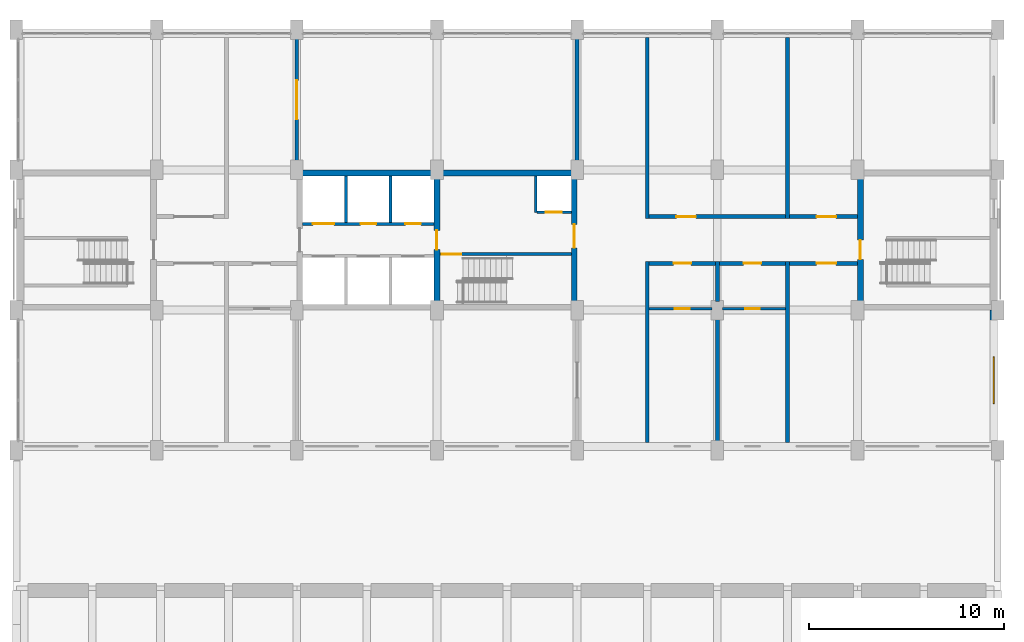
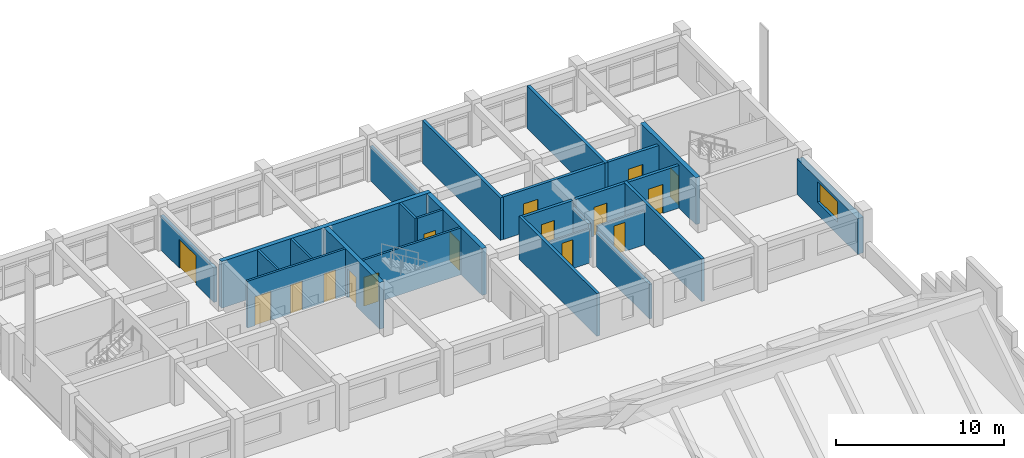
# One storey, part 27 of 31: 26 walls, 16 doors, 1 window, 17 openings.
"""IFC4 building model written with IfcOpenShell, lengths in metres."""

from ifc_helpers import new_model, si_unit, direction, frame, frame_2d, origin, place, context, subcontext, project, spatial, rectangle, extrude, material, layer, layer_set, type_object, element, fill, save


model = new_model("IFC4")

# Units and contexts
model_context = context("Model", 3, precision=1e-05, world=origin(), true_north=direction((0.0, 1.0)))
body_context = subcontext(model_context, "Body", "Model", "MODEL_VIEW")
ifc_project = project(units=[si_unit("LENGTHUNIT", "METRE"), si_unit("AREAUNIT", "SQUARE_METRE"), si_unit("VOLUMEUNIT", "CUBIC_METRE"), si_unit("PLANEANGLEUNIT", "RADIAN"), si_unit("MASSUNIT", "GRAM", prefix="KILO")], contexts=[model_context])

# Site, building, storey
site_placement = place(None, origin())
site = spatial("IfcSite", under=ifc_project, at=site_placement, CompositionType="ELEMENT")
building_placement = place(site_placement, origin())
building = spatial("IfcBuilding", under=site, at=building_placement, Name="Vermilion Court Aquatics Centre", CompositionType="ELEMENT")
storey_placement = place(building_placement, frame((0.0, 0.0, 16.5)))
storey = spatial("IfcBuildingStorey", under=building, at=storey_placement, Name="L03", CompositionType="ELEMENT", Elevation=16.5)

# Wall, opening, window
ifc_material_1 = material(Name="Brick masonry", Category="masonry")
ifc_layer_1 = layer(ifc_material_1, 0.39990234375)
ifc_layer_set_1 = layer_set([ifc_layer_1], Name="North block brick facade wall 400")
wall_type_1 = type_object("IfcWallType", Name="North block brick facade wall 400", PredefinedType="SOLIDWALL", material=ifc_layer_set_1)
wall_1_placement = place(storey_placement, frame((194.199951171875, 93.60009765625, 0.0), z_axis=(0.0, 0.0, 1.0), x_axis=(0.0, 1.0, 0.0)))
wall_1 = element("IfcWall", 1, at=wall_1_placement, inside=storey, type_object=wall_type_1, Name="Brick facade wall E1 L03", PredefinedType="SOLIDWALL", context=body_context, shape_type="SweptSolid", body=[
    extrude(rectangle(XDim=7.199951171875, YDim=0.39990234375, at=frame_2d((3.60009765625, 0.0))), origin(), (0.0, 0.0, 1.0), 2.60009765625),
])
opening_1_placement = place(wall_1_placement, frame((2.39990234375, 0.0, 0.89990234375)))
opening_1 = element("IfcOpeningElement", 2, at=opening_1_placement, cuts=wall_1, Name="Opening UWN3", PredefinedType="OPENING", context=body_context, shape_type="SweptSolid", body=[
    extrude(rectangle(XDim=2.39990234375, YDim=1.5, at=frame_2d((1.199951171875, 0.75))), frame((0.0, 0.2099609375, 0.0), z_axis=(0.0, -1.0, 0.0), x_axis=(1.0, 0.0, 0.0)), (0.0, 0.0, 1.0), 0.419921875),
])
ifc_material_2 = material(Name="Aluminium 6063-T5", Category="aluminium")
window_type = type_object("IfcWindowType", Name="North block corner window 2400x1500", PartitioningType="DOUBLE_PANEL_VERTICAL", PredefinedType="WINDOW", material=ifc_material_2)
window_placement = place(opening_1_placement, origin())
window = element("IfcWindow", 3, at=window_placement, inside=storey, type_object=window_type, Name="End window SE", OverallHeight=1.5, OverallWidth=2.39990234375, PartitioningType="DOUBLE_PANEL_VERTICAL", PredefinedType="WINDOW", context=body_context, shape_type="SweptSolid", body=[
    extrude(rectangle(XDim=2.39990234375, YDim=1.5, at=frame_2d((1.199951171875, 0.75))), frame((0.0, 0.030029296875, 0.0), z_axis=(0.0, -1.0, 0.0), x_axis=(1.0, 0.0, 0.0)), (0.0, 0.0, 1.0), 0.06005859375),
])
fill(opening_1, window)

# Wall
ifc_material_3 = material(Name="Concrete 8000 psi", Category="concrete")
ifc_layer_2 = layer(ifc_material_3, 0.300048828125)
ifc_layer_set_2 = layer_set([ifc_layer_2], Name="North block core shear wall 300")
wall_type_2 = type_object("IfcWallType", Name="North block core shear wall 300", PredefinedType="SHEAR", material=ifc_layer_set_2)
wall_2_placement = place(storey_placement, frame((158.39990234375, 107.85009765625, 0.0), z_axis=(0.0, 0.0, 1.0), x_axis=(1.0, 0.0, 0.0)))
element("IfcWall", 4, at=wall_2_placement, inside=storey, type_object=wall_type_2, Name="Core shear wall north L03", PredefinedType="SHEAR", context=body_context, shape_type="SweptSolid", body=[
    extrude(rectangle(XDim=14.400146484375, YDim=0.300048828125, at=frame_2d((7.2001953125, 0.0))), origin(), (0.0, 0.0, 1.0), 3.39990234375),
])

# Wall, opening, door
wall_3_placement = place(storey_placement, frame((165.60009765625, 101.10009765625, 0.0), z_axis=(0.0, 0.0, 1.0), x_axis=(0.0, 1.0, 0.0)))
wall_3 = element("IfcWall", 5, at=wall_3_placement, inside=storey, type_object=wall_type_2, Name="Core shear wall cross L03", PredefinedType="SHEAR", context=body_context, shape_type="SweptSolid", body=[
    extrude(rectangle(XDim=6.599853515625, YDim=0.300048828125, at=frame_2d((3.2998046875, 0.0))), origin(), (0.0, 0.0, 1.0), 3.39990234375),
])
opening_2_placement = place(wall_3_placement, frame((2.800048828125, 0.0, 0.0)))
opening_2 = element("IfcOpeningElement", 6, at=opening_2_placement, cuts=wall_3, Name="Opening U03-017", PredefinedType="OPENING", context=body_context, shape_type="SweptSolid", body=[
    extrude(rectangle(XDim=1.0, YDim=2.10009765625, at=frame_2d((0.5, 1.050048828125))), frame((0.0, 0.159912109375, 0.0), z_axis=(0.0, -1.0, 0.0), x_axis=(1.0, 0.0, 0.0)), (0.0, 0.0, 1.0), 0.320068359375),
])
ifc_material_4 = material(Name="Hollow metal")
door_type_1 = type_object("IfcDoorType", Name="North block fire door FD90 1000x2100", OperationType="NOTDEFINED", PredefinedType="DOOR", material=ifc_material_4)
door_1_placement = place(opening_2_placement, frame((1.0, 0.0, 0.0), z_axis=(0.0, 0.0, 1.0), x_axis=(-1.0, 0.0, 0.0)))
door_1 = element("IfcDoor", 7, at=door_1_placement, inside=storey, type_object=door_type_1, Name="Core cross door L03", OperationType="SINGLE_SWING_RIGHT", OverallHeight=2.10009765625, OverallWidth=1.0, PredefinedType="DOOR", context=body_context, shape_type="SweptSolid", body=[
    extrude(rectangle(XDim=1.0, YDim=2.10009765625, at=frame_2d((0.5, 1.050048828125))), frame((0.0, 0.025146484375, 0.0), z_axis=(0.0, -1.0, 0.0), x_axis=(1.0, 0.0, 0.0)), (0.0, 0.0, 1.0), 0.050048828125),
])
fill(opening_2, door_1)

wall_4_placement = place(storey_placement, frame((172.64990234375, 101.10009765625, 0.0), z_axis=(0.0, 0.0, 1.0), x_axis=(0.0, 1.0, 0.0)))
wall_4 = element("IfcWall", 8, at=wall_4_placement, inside=storey, type_object=wall_type_2, Name="Core shear wall east L03", PredefinedType="SHEAR", context=body_context, shape_type="SweptSolid", body=[
    extrude(rectangle(XDim=6.599853515625, YDim=0.300048828125, at=frame_2d((3.2998046875, 0.0))), origin(), (0.0, 0.0, 1.0), 3.39990234375),
])
opening_3_placement = place(wall_4_placement, frame((2.89990234375, 0.0, 0.0)))
opening_3 = element("IfcOpeningElement", 9, at=opening_3_placement, cuts=wall_4, Name="Opening U03-018", PredefinedType="OPENING", context=body_context, shape_type="SweptSolid", body=[
    extrude(rectangle(XDim=1.199951171875, YDim=2.10009765625, at=frame_2d((0.60009765625, 1.050048828125))), frame((0.0, 0.159912109375, 0.0), z_axis=(0.0, -1.0, 0.0), x_axis=(1.0, 0.0, 0.0)), (0.0, 0.0, 1.0), 0.320068359375),
])
ifc_material_5 = material(Name="Hollow metal")
door_type_2 = type_object("IfcDoorType", Name="North block fire door FD90 1200x2100", OperationType="NOTDEFINED", PredefinedType="DOOR", material=ifc_material_5)
door_2_placement = place(opening_3_placement, origin())
door_2 = element("IfcDoor", 10, at=door_2_placement, inside=storey, type_object=door_type_2, Name="Core lobby door east L03", OperationType="SINGLE_SWING_LEFT", OverallHeight=2.10009765625, OverallWidth=1.199951171875, PredefinedType="DOOR", context=body_context, shape_type="SweptSolid", body=[
    extrude(rectangle(XDim=1.199951171875, YDim=2.10009765625, at=frame_2d((0.60009765625, 1.050048828125))), frame((0.0, 0.02490234375, 0.0), z_axis=(0.0, -1.0, 0.0), x_axis=(1.0, 0.0, 0.0)), (0.0, 0.0, 1.0), 0.050048828125),
])
fill(opening_3, door_2)

wall_5_placement = place(storey_placement, frame((187.35009765625, 101.10009765625, 0.0), z_axis=(0.0, 0.0, 1.0), x_axis=(0.0, 1.0, 0.0)))
wall_5 = element("IfcWall", 11, at=wall_5_placement, inside=storey, type_object=wall_type_2, Name="Stair 2 shear wall inner L03", PredefinedType="SHEAR", context=body_context, shape_type="SweptSolid", body=[
    extrude(rectangle(XDim=6.599853515625, YDim=0.300048828125, at=frame_2d((3.2998046875, 0.0))), origin(), (0.0, 0.0, 1.0), 3.39990234375),
])
opening_4_placement = place(wall_5_placement, frame((2.300048828125, 0.0, 0.0)))
opening_4 = element("IfcOpeningElement", 12, at=opening_4_placement, cuts=wall_5, Name="Opening U03-022", PredefinedType="OPENING", context=body_context, shape_type="SweptSolid", body=[
    extrude(rectangle(XDim=1.0, YDim=2.10009765625, at=frame_2d((0.5, 1.050048828125))), frame((0.0, 0.159912109375, 0.0), z_axis=(0.0, -1.0, 0.0), x_axis=(1.0, 0.0, 0.0)), (0.0, 0.0, 1.0), 0.320068359375),
])
door_3_placement = place(opening_4_placement, frame((1.0, 0.0, 0.0), z_axis=(0.0, 0.0, 1.0), x_axis=(-1.0, 0.0, 0.0)))
door_3 = element("IfcDoor", 13, at=door_3_placement, inside=storey, type_object=door_type_1, Name="Stair 2 door L03", OperationType="SINGLE_SWING_RIGHT", OverallHeight=2.10009765625, OverallWidth=1.0, PredefinedType="DOOR", context=body_context, shape_type="SweptSolid", body=[
    extrude(rectangle(XDim=1.0, YDim=2.10009765625, at=frame_2d((0.5, 1.050048828125))), frame((0.0, 0.025146484375, 0.0), z_axis=(0.0, -1.0, 0.0), x_axis=(1.0, 0.0, 0.0)), (0.0, 0.0, 1.0), 0.050048828125),
])
fill(opening_4, door_3)

# Walls
ifc_material_6 = material(Name="Concrete 5000 psi", Category="concrete")
ifc_layer_3 = layer(ifc_material_6, 0.14990234375)
ifc_layer_set_3 = layer_set([ifc_layer_3], Name="North block lift shaft partition 150")
wall_type_3 = type_object("IfcWallType", Name="North block lift shaft partition 150", PredefinedType="PARTITIONING", material=ifc_layer_set_3)
for number, where, z_axis, x_axis, name in (
    (14, (160.925048828125, 105.300048828125, 0.0), (0.0, 0.0, 1.0), (0.0, 1.0, 0.0), "Lift shaft wall N1 L03"),
    (15, (163.22509765625, 105.300048828125, 0.0), (0.0, 0.0, 1.0), (0.0, 1.0, 0.0), "Lift shaft wall N2 L03"),
):
    element("IfcWall", number, at=place(storey_placement, frame(where, z_axis=z_axis, x_axis=x_axis)), inside=storey, type_object=wall_type_3, Name=name, PredefinedType="PARTITIONING", context=body_context, shape_type="SweptSolid", body=[
        extrude(rectangle(XDim=2.39990234375, YDim=0.14990234375, at=frame_2d((1.199951171875, 0.0))), origin(), (0.0, 0.0, 1.0), 3.39990234375),
    ])

# Wall, openings, doors
wall_6_placement = place(storey_placement, frame((158.699951171875, 105.22509765625, 0.0), z_axis=(0.0, 0.0, 1.0), x_axis=(1.0, 0.0, 0.0)))
wall_6 = element("IfcWall", 16, at=wall_6_placement, inside=storey, type_object=wall_type_3, Name="Lift shaft front wall N L03", PredefinedType="PARTITIONING", context=body_context, shape_type="SweptSolid", body=[
    extrude(rectangle(XDim=6.75, YDim=0.14990234375, at=frame_2d((3.375, 0.0))), origin(), (0.0, 0.0, 1.0), 3.39990234375),
])
opening_5_placement = place(wall_6_placement, frame((0.52490234375, 0.0, 0.0)))
opening_5 = element("IfcOpeningElement", 17, at=opening_5_placement, cuts=wall_6, Name="Opening LD4-03", PredefinedType="OPENING", context=body_context, shape_type="SweptSolid", body=[
    extrude(rectangle(XDim=1.10009765625, YDim=2.10009765625, at=frame_2d((0.550048828125, 1.050048828125))), frame((0.0, 0.0849609375, 0.0), z_axis=(0.0, -1.0, 0.0), x_axis=(1.0, 0.0, 0.0)), (0.0, 0.0, 1.0), 0.169921875),
])
opening_6_placement = place(wall_6_placement, frame((2.97509765625, 0.0, 0.0)))
opening_6 = element("IfcOpeningElement", 18, at=opening_6_placement, cuts=wall_6, Name="Opening U03-014", PredefinedType="OPENING", context=body_context, shape_type="SweptSolid", body=[
    extrude(rectangle(XDim=0.800048828125, YDim=2.10009765625, at=frame_2d((0.39990234375, 1.050048828125))), frame((0.0, 0.0849609375, 0.0), z_axis=(0.0, -1.0, 0.0), x_axis=(1.0, 0.0, 0.0)), (0.0, 0.0, 1.0), 0.169921875),
])
opening_7_placement = place(wall_6_placement, frame((5.27490234375, 0.0, 0.0)))
opening_7 = element("IfcOpeningElement", 19, at=opening_7_placement, cuts=wall_6, Name="Opening U03-015", PredefinedType="OPENING", context=body_context, shape_type="SweptSolid", body=[
    extrude(rectangle(XDim=0.800048828125, YDim=2.10009765625, at=frame_2d((0.39990234375, 1.050048828125))), frame((0.0, 0.0849609375, 0.0), z_axis=(0.0, -1.0, 0.0), x_axis=(1.0, 0.0, 0.0)), (0.0, 0.0, 1.0), 0.169921875),
])
ifc_material_7 = material(Name="Hollow metal")
door_type_3 = type_object("IfcDoorType", Name="North block lift landing door 1100x2100", OperationType="DOUBLE_DOOR_SLIDING", PredefinedType="DOOR", material=ifc_material_7)
door_4_placement = place(opening_5_placement, origin())
door_4 = element("IfcDoor", 20, at=door_4_placement, inside=storey, type_object=door_type_3, Name="Lift landing door L4 L03", OperationType="DOUBLE_DOOR_SLIDING", OverallHeight=2.10009765625, OverallWidth=1.10009765625, PredefinedType="DOOR", context=body_context, shape_type="SweptSolid", body=[
    extrude(rectangle(XDim=1.10009765625, YDim=2.10009765625, at=frame_2d((0.550048828125, 1.050048828125))), frame((0.0, 0.02490234375, 0.0), z_axis=(0.0, -1.0, 0.0), x_axis=(1.0, 0.0, 0.0)), (0.0, 0.0, 1.0), 0.050048828125),
])
fill(opening_5, door_4)
ifc_material_8 = material(Name="Hollow metal")
door_type_4 = type_object("IfcDoorType", Name="North block riser door FD90 800x2100", OperationType="NOTDEFINED", PredefinedType="DOOR", material=ifc_material_8)
door_5_placement = place(opening_6_placement, frame((0.800048828125, 0.0, 0.0), z_axis=(0.0, 0.0, 1.0), x_axis=(-1.0, 0.0, 0.0)))
door_5 = element("IfcDoor", 21, at=door_5_placement, inside=storey, type_object=door_type_4, Name="Electrical Riser door L03", OperationType="SINGLE_SWING_RIGHT", OverallHeight=2.10009765625, OverallWidth=0.800048828125, PredefinedType="DOOR", context=body_context, shape_type="SweptSolid", body=[
    extrude(rectangle(XDim=0.800048828125, YDim=2.10009765625, at=frame_2d((0.400146484375, 1.050048828125))), frame((0.0, 0.025146484375, 0.0), z_axis=(0.0, -1.0, 0.0), x_axis=(1.0, 0.0, 0.0)), (0.0, 0.0, 1.0), 0.050048828125),
])
fill(opening_6, door_5)
door_6_placement = place(opening_7_placement, frame((0.800048828125, 0.0, 0.0), z_axis=(0.0, 0.0, 1.0), x_axis=(-1.0, 0.0, 0.0)))
door_6 = element("IfcDoor", 22, at=door_6_placement, inside=storey, type_object=door_type_4, Name="Plumbing Riser door L03", OperationType="SINGLE_SWING_LEFT", OverallHeight=2.10009765625, OverallWidth=0.800048828125, PredefinedType="DOOR", context=body_context, shape_type="SweptSolid", body=[
    extrude(rectangle(XDim=0.800048828125, YDim=2.10009765625, at=frame_2d((0.400146484375, 1.050048828125))), frame((0.0, 0.025146484375, 0.0), z_axis=(0.0, -1.0, 0.0), x_axis=(1.0, 0.0, 0.0)), (0.0, 0.0, 1.0), 0.050048828125),
])
fill(opening_7, door_6)

# Wall
wall_7_placement = place(storey_placement, frame((170.675048828125, 105.824951171875, 0.0), z_axis=(0.0, 0.0, 1.0), x_axis=(0.0, 1.0, 0.0)))
element("IfcWall", 23, at=wall_7_placement, inside=storey, type_object=wall_type_3, Name="Riser shaft wall west L03", PredefinedType="PARTITIONING", context=body_context, shape_type="SweptSolid", body=[
    extrude(rectangle(XDim=1.875, YDim=0.14990234375, at=frame_2d((0.9375, 0.0))), origin(), (0.0, 0.0, 1.0), 3.39990234375),
])

# Wall, opening, door
wall_8_placement = place(storey_placement, frame((170.75, 105.824951171875, 0.0), z_axis=(0.0, 0.0, 1.0), x_axis=(1.0, 0.0, 0.0)))
wall_8 = element("IfcWall", 24, at=wall_8_placement, inside=storey, type_object=wall_type_3, Name="Riser shaft wall south L03", PredefinedType="PARTITIONING", context=body_context, shape_type="SweptSolid", body=[
    extrude(rectangle(XDim=1.75, YDim=0.14990234375, at=frame_2d((0.875, 0.0))), origin(), (0.0, 0.0, 1.0), 3.39990234375),
])
opening_8_placement = place(wall_8_placement, frame((0.449951171875, 0.0, 0.0)))
opening_8 = element("IfcOpeningElement", 25, at=opening_8_placement, cuts=wall_8, Name="Opening U03-020", PredefinedType="OPENING", context=body_context, shape_type="SweptSolid", body=[
    extrude(rectangle(XDim=0.800048828125, YDim=2.10009765625, at=frame_2d((0.39990234375, 1.050048828125))), frame((0.0, 0.0849609375, 0.0), z_axis=(0.0, -1.0, 0.0), x_axis=(1.0, 0.0, 0.0)), (0.0, 0.0, 1.0), 0.169921875),
])
door_7_placement = place(opening_8_placement, origin())
door_7 = element("IfcDoor", 26, at=door_7_placement, inside=storey, type_object=door_type_4, Name="Riser door L03", OperationType="SINGLE_SWING_LEFT", OverallHeight=2.10009765625, OverallWidth=0.800048828125, PredefinedType="DOOR", context=body_context, shape_type="SweptSolid", body=[
    extrude(rectangle(XDim=0.800048828125, YDim=2.10009765625, at=frame_2d((0.39990234375, 1.050048828125))), frame((0.0, 0.02490234375, 0.0), z_axis=(0.0, -1.0, 0.0), x_axis=(1.0, 0.0, 0.0)), (0.0, 0.0, 1.0), 0.050048828125),
])
fill(opening_8, door_7)

# Wall
ifc_material_9 = material(Name="Concrete masonry ASTM C90 Type I", Category="masonry")
ifc_layer_4 = layer(ifc_material_9, 0.199951171875)
ifc_layer_set_4 = layer_set([ifc_layer_4], Name="North block party wall 200")
wall_type_4 = type_object("IfcWallType", Name="North block party wall 200", PredefinedType="PARTITIONING", material=ifc_layer_set_4)
wall_9_placement = place(storey_placement, frame((176.39990234375, 94.0, 0.0), z_axis=(0.0, 0.0, 1.0), x_axis=(0.0, 1.0, 0.0)))
element("IfcWall", 27, at=wall_9_placement, inside=storey, type_object=wall_type_4, Name="Party wall s 9", PredefinedType="PARTITIONING", context=body_context, shape_type="SweptSolid", body=[
    extrude(rectangle(XDim=9.300048828125, YDim=0.199951171875, at=frame_2d((4.64990234375, 0.0))), origin(), (0.0, 0.0, 1.0), 3.10009765625),
])

# Wall, opening, door
wall_10_placement = place(storey_placement, frame((176.5, 103.199951171875, 0.0), z_axis=(0.0, 0.0, 1.0), x_axis=(1.0, 0.0, 0.0)))
wall_10 = element("IfcWall", 28, at=wall_10_placement, inside=storey, type_object=wall_type_4, Name="Corridor wall 0305", PredefinedType="PARTITIONING", context=body_context, shape_type="SweptSolid", body=[
    extrude(rectangle(XDim=3.39990234375, YDim=0.199951171875, at=frame_2d((1.699951171875, 0.0))), origin(), (0.0, 0.0, 1.0), 3.10009765625),
])
opening_9_placement = place(wall_10_placement, frame((1.25, 0.0, 0.0)))
opening_9 = element("IfcOpeningElement", 29, at=opening_9_placement, cuts=wall_10, Name="Opening U03-006", PredefinedType="OPENING", context=body_context, shape_type="SweptSolid", body=[
    extrude(rectangle(XDim=0.89990234375, YDim=2.10009765625, at=frame_2d((0.449951171875, 1.050048828125))), frame((0.0, 0.10986328125, 0.0), z_axis=(0.0, -1.0, 0.0), x_axis=(1.0, 0.0, 0.0)), (0.0, 0.0, 1.0), 0.219970703125),
])
ifc_material_10 = material(Name="Timber door leaf", Category="wood")
door_type_5 = type_object("IfcDoorType", Name="North block room door FD20 900x2100", OperationType="NOTDEFINED", PredefinedType="DOOR", material=ifc_material_10)
door_8_placement = place(opening_9_placement, frame((0.89990234375, 0.0, 0.0), z_axis=(0.0, 0.0, 1.0), x_axis=(-1.0, 0.0, 0.0)))
door_8 = element("IfcDoor", 30, at=door_8_placement, inside=storey, type_object=door_type_5, Name="Women's WC door 0305", OperationType="SINGLE_SWING_RIGHT", OverallHeight=2.10009765625, OverallWidth=0.89990234375, PredefinedType="DOOR", context=body_context, shape_type="SweptSolid", body=[
    extrude(rectangle(XDim=0.89990234375, YDim=2.10009765625, at=frame_2d((0.449951171875, 1.050048828125))), frame((0.0, 0.025146484375, 0.0), z_axis=(0.0, -1.0, 0.0), x_axis=(1.0, 0.0, 0.0)), (0.0, 0.0, 1.0), 0.050048828125),
])
fill(opening_9, door_8)

# Walls
wall_11_placement = place(storey_placement, frame((180.0, 94.0, 0.0), z_axis=(0.0, 0.0, 1.0), x_axis=(0.0, 1.0, 0.0)))
element("IfcWall", 31, at=wall_11_placement, inside=storey, type_object=wall_type_4, Name="Party wall s 10", PredefinedType="PARTITIONING", context=body_context, shape_type="SweptSolid", body=[
    extrude(rectangle(XDim=6.35009765625, YDim=0.199951171875, at=frame_2d((3.175048828125, 0.0))), origin(), (0.0, 0.0, 1.0), 2.5),
])
wall_12_placement = place(storey_placement, frame((180.0, 101.25, 0.0), z_axis=(0.0, 0.0, 1.0), x_axis=(0.0, 1.0, 0.0)))
element("IfcWall", 32, at=wall_12_placement, inside=storey, type_object=wall_type_4, Name="Party wall s 10", PredefinedType="PARTITIONING", context=body_context, shape_type="SweptSolid", body=[
    extrude(rectangle(XDim=2.050048828125, YDim=0.199951171875, at=frame_2d((1.02490234375, 0.0))), origin(), (0.0, 0.0, 1.0), 2.5),
])

# Wall, opening, door
wall_13_placement = place(storey_placement, frame((180.10009765625, 103.199951171875, 0.0), z_axis=(0.0, 0.0, 1.0), x_axis=(1.0, 0.0, 0.0)))
wall_13 = element("IfcWall", 33, at=wall_13_placement, inside=storey, type_object=wall_type_4, Name="Corridor wall 0306", PredefinedType="PARTITIONING", context=body_context, shape_type="SweptSolid", body=[
    extrude(rectangle(XDim=3.39990234375, YDim=0.199951171875, at=frame_2d((1.699951171875, 0.0))), origin(), (0.0, 0.0, 1.0), 3.10009765625),
])
opening_10_placement = place(wall_13_placement, frame((1.25, 0.0, 0.0)))
opening_10 = element("IfcOpeningElement", 34, at=opening_10_placement, cuts=wall_13, Name="Opening U03-008", PredefinedType="OPENING", context=body_context, shape_type="SweptSolid", body=[
    extrude(rectangle(XDim=0.89990234375, YDim=2.10009765625, at=frame_2d((0.449951171875, 1.050048828125))), frame((0.0, 0.10986328125, 0.0), z_axis=(0.0, -1.0, 0.0), x_axis=(1.0, 0.0, 0.0)), (0.0, 0.0, 1.0), 0.219970703125),
])
door_9_placement = place(opening_10_placement, frame((0.89990234375, 0.0, 0.0), z_axis=(0.0, 0.0, 1.0), x_axis=(-1.0, 0.0, 0.0)))
door_9 = element("IfcDoor", 35, at=door_9_placement, inside=storey, type_object=door_type_5, Name="Men's WC door 0306", OperationType="SINGLE_SWING_LEFT", OverallHeight=2.10009765625, OverallWidth=0.89990234375, PredefinedType="DOOR", context=body_context, shape_type="SweptSolid", body=[
    extrude(rectangle(XDim=0.89990234375, YDim=2.10009765625, at=frame_2d((0.449951171875, 1.050048828125))), frame((0.0, 0.025146484375, 0.0), z_axis=(0.0, -1.0, 0.0), x_axis=(1.0, 0.0, 0.0)), (0.0, 0.0, 1.0), 0.050048828125),
])
fill(opening_10, door_9)

# Wall
wall_14_placement = place(storey_placement, frame((183.60009765625, 94.0, 0.0), z_axis=(0.0, 0.0, 1.0), x_axis=(0.0, 1.0, 0.0)))
element("IfcWall", 36, at=wall_14_placement, inside=storey, type_object=wall_type_4, Name="Party wall s 11", PredefinedType="PARTITIONING", context=body_context, shape_type="SweptSolid", body=[
    extrude(rectangle(XDim=9.300048828125, YDim=0.199951171875, at=frame_2d((4.64990234375, 0.0))), origin(), (0.0, 0.0, 1.0), 3.10009765625),
])

# Wall, opening, door
wall_15_placement = place(storey_placement, frame((183.699951171875, 103.199951171875, 0.0), z_axis=(0.0, 0.0, 1.0), x_axis=(1.0, 0.0, 0.0)))
wall_15 = element("IfcWall", 37, at=wall_15_placement, inside=storey, type_object=wall_type_4, Name="Corridor wall 0307", PredefinedType="PARTITIONING", context=body_context, shape_type="SweptSolid", body=[
    extrude(rectangle(XDim=3.5, YDim=0.199951171875, at=frame_2d((1.75, 0.0))), origin(), (0.0, 0.0, 1.0), 3.10009765625),
])
opening_11_placement = place(wall_15_placement, frame((1.39990234375, 0.0, 0.0)))
opening_11 = element("IfcOpeningElement", 38, at=opening_11_placement, cuts=wall_15, Name="Opening U03-009", PredefinedType="OPENING", context=body_context, shape_type="SweptSolid", body=[
    extrude(rectangle(XDim=1.0, YDim=2.10009765625, at=frame_2d((0.5, 1.050048828125))), frame((0.0, 0.10986328125, 0.0), z_axis=(0.0, -1.0, 0.0), x_axis=(1.0, 0.0, 0.0)), (0.0, 0.0, 1.0), 0.219970703125),
])
ifc_material_11 = material(Name="Timber door leaf", Category="wood")
door_type_6 = type_object("IfcDoorType", Name="North block room entrance door FD20 1000x2100", OperationType="NOTDEFINED", PredefinedType="DOOR", material=ifc_material_11)
door_10_placement = place(opening_11_placement, frame((1.0, 0.0, 0.0), z_axis=(0.0, 0.0, 1.0), x_axis=(-1.0, 0.0, 0.0)))
door_10 = element("IfcDoor", 39, at=door_10_placement, inside=storey, type_object=door_type_6, Name="Staff Rest Room door 0307", OperationType="SINGLE_SWING_LEFT", OverallHeight=2.10009765625, OverallWidth=1.0, PredefinedType="DOOR", context=body_context, shape_type="SweptSolid", body=[
    extrude(rectangle(XDim=1.0, YDim=2.10009765625, at=frame_2d((0.5, 1.050048828125))), frame((0.0, 0.025146484375, 0.0), z_axis=(0.0, -1.0, 0.0), x_axis=(1.0, 0.0, 0.0)), (0.0, 0.0, 1.0), 0.050048828125),
])
fill(opening_11, door_10)

wall_16_placement = place(storey_placement, frame((158.39990234375, 108.449951171875, 0.0), z_axis=(0.0, 0.0, 1.0), x_axis=(0.0, 1.0, 0.0)))
wall_16 = element("IfcWall", 40, at=wall_16_placement, inside=storey, type_object=wall_type_4, Name="Party wall n 4", PredefinedType="PARTITIONING", context=body_context, shape_type="SweptSolid", body=[
    extrude(rectangle(XDim=6.35009765625, YDim=0.199951171875, at=frame_2d((3.175048828125, 0.0))), origin(), (0.0, 0.0, 1.0), 2.5),
])
opening_12_placement = place(wall_16_placement, frame((2.14990234375, 0.0, 0.0)))
opening_12 = element("IfcOpeningElement", 41, at=opening_12_placement, cuts=wall_16, Name="Opening U03-011", PredefinedType="OPENING", context=body_context, shape_type="SweptSolid", body=[
    extrude(rectangle(XDim=2.0, YDim=2.10009765625, at=frame_2d((1.0, 1.050048828125))), frame((0.0, 0.10986328125, 0.0), z_axis=(0.0, -1.0, 0.0), x_axis=(1.0, 0.0, 0.0)), (0.0, 0.0, 1.0), 0.219970703125),
])
ifc_material_12 = material(Name="Timber door leaf", Category="wood")
door_type_7 = type_object("IfcDoorType", Name="North block hall double door 2000x2100", OperationType="DOUBLE_DOOR_SINGLE_SWING", PredefinedType="DOOR", material=ifc_material_12)
door_11_placement = place(opening_12_placement, frame((2.0, 0.0, 0.0), z_axis=(0.0, 0.0, 1.0), x_axis=(-1.0, 0.0, 0.0)))
door_11 = element("IfcDoor", 42, at=door_11_placement, inside=storey, type_object=door_type_7, Name="Physiotherapy Room door 0310", OperationType="DOUBLE_DOOR_SINGLE_SWING", OverallHeight=2.10009765625, OverallWidth=2.0, PredefinedType="DOOR", context=body_context, shape_type="SweptSolid", body=[
    extrude(rectangle(XDim=2.0, YDim=2.10009765625, at=frame_2d((1.0, 1.050048828125))), frame((0.0, 0.025146484375, 0.0), z_axis=(0.0, -1.0, 0.0), x_axis=(1.0, 0.0, 0.0)), (0.0, 0.0, 1.0), 0.050048828125),
])
fill(opening_12, door_11)

# Walls
wall_17_placement = place(storey_placement, frame((172.800048828125, 108.449951171875, 0.0), z_axis=(0.0, 0.0, 1.0), x_axis=(0.0, 1.0, 0.0)))
element("IfcWall", 43, at=wall_17_placement, inside=storey, type_object=wall_type_4, Name="Party wall n 8", PredefinedType="PARTITIONING", context=body_context, shape_type="SweptSolid", body=[
    extrude(rectangle(XDim=6.35009765625, YDim=0.199951171875, at=frame_2d((3.175048828125, 0.0))), origin(), (0.0, 0.0, 1.0), 2.5),
])
wall_18_placement = place(storey_placement, frame((176.39990234375, 105.5, 0.0), z_axis=(0.0, 0.0, 1.0), x_axis=(0.0, 1.0, 0.0)))
element("IfcWall", 44, at=wall_18_placement, inside=storey, type_object=wall_type_4, Name="Party wall n 9", PredefinedType="PARTITIONING", context=body_context, shape_type="SweptSolid", body=[
    extrude(rectangle(XDim=9.300048828125, YDim=0.199951171875, at=frame_2d((4.64990234375, 0.0))), origin(), (0.0, 0.0, 1.0), 3.10009765625),
])

# Wall, opening, door
wall_19_placement = place(storey_placement, frame((176.5, 105.60009765625, 0.0), z_axis=(0.0, 0.0, 1.0), x_axis=(1.0, 0.0, 0.0)))
wall_19 = element("IfcWall", 45, at=wall_19_placement, inside=storey, type_object=wall_type_4, Name="Corridor wall 0312", PredefinedType="PARTITIONING", context=body_context, shape_type="SweptSolid", body=[
    extrude(rectangle(XDim=7.0, YDim=0.199951171875, at=frame_2d((3.5, 0.0))), origin(), (0.0, 0.0, 1.0), 3.10009765625),
])
opening_13_placement = place(wall_19_placement, frame((1.39990234375, 0.0, 0.0)))
opening_13 = element("IfcOpeningElement", 46, at=opening_13_placement, cuts=wall_19, Name="Opening U03-012", PredefinedType="OPENING", context=body_context, shape_type="SweptSolid", body=[
    extrude(rectangle(XDim=1.0, YDim=2.10009765625, at=frame_2d((0.5, 1.050048828125))), frame((0.0, 0.10986328125, 0.0), z_axis=(0.0, -1.0, 0.0), x_axis=(1.0, 0.0, 0.0)), (0.0, 0.0, 1.0), 0.219970703125),
])
door_12_placement = place(opening_13_placement, origin())
door_12 = element("IfcDoor", 47, at=door_12_placement, inside=storey, type_object=door_type_6, Name="Consulting Room door 0312", OperationType="SINGLE_SWING_LEFT", OverallHeight=2.10009765625, OverallWidth=1.0, PredefinedType="DOOR", context=body_context, shape_type="SweptSolid", body=[
    extrude(rectangle(XDim=1.0, YDim=2.10009765625, at=frame_2d((0.5, 1.050048828125))), frame((0.0, 0.02490234375, 0.0), z_axis=(0.0, -1.0, 0.0), x_axis=(1.0, 0.0, 0.0)), (0.0, 0.0, 1.0), 0.050048828125),
])
fill(opening_13, door_12)

# Wall
wall_20_placement = place(storey_placement, frame((183.60009765625, 105.5, 0.0), z_axis=(0.0, 0.0, 1.0), x_axis=(0.0, 1.0, 0.0)))
element("IfcWall", 48, at=wall_20_placement, inside=storey, type_object=wall_type_4, Name="Party wall n 11", PredefinedType="PARTITIONING", context=body_context, shape_type="SweptSolid", body=[
    extrude(rectangle(XDim=9.300048828125, YDim=0.199951171875, at=frame_2d((4.64990234375, 0.0))), origin(), (0.0, 0.0, 1.0), 3.10009765625),
])

# Wall, opening, door
wall_21_placement = place(storey_placement, frame((183.699951171875, 105.60009765625, 0.0), z_axis=(0.0, 0.0, 1.0), x_axis=(1.0, 0.0, 0.0)))
wall_21 = element("IfcWall", 49, at=wall_21_placement, inside=storey, type_object=wall_type_4, Name="Corridor wall 0313", PredefinedType="PARTITIONING", context=body_context, shape_type="SweptSolid", body=[
    extrude(rectangle(XDim=3.5, YDim=0.199951171875, at=frame_2d((1.75, 0.0))), origin(), (0.0, 0.0, 1.0), 3.10009765625),
])
opening_14_placement = place(wall_21_placement, frame((1.39990234375, 0.0, 0.0)))
opening_14 = element("IfcOpeningElement", 50, at=opening_14_placement, cuts=wall_21, Name="Opening U03-013", PredefinedType="OPENING", context=body_context, shape_type="SweptSolid", body=[
    extrude(rectangle(XDim=1.0, YDim=2.10009765625, at=frame_2d((0.5, 1.050048828125))), frame((0.0, 0.10986328125, 0.0), z_axis=(0.0, -1.0, 0.0), x_axis=(1.0, 0.0, 0.0)), (0.0, 0.0, 1.0), 0.219970703125),
])
door_13_placement = place(opening_14_placement, origin())
door_13 = element("IfcDoor", 51, at=door_13_placement, inside=storey, type_object=door_type_6, Name="Treatment Room door 0313", OperationType="SINGLE_SWING_RIGHT", OverallHeight=2.10009765625, OverallWidth=1.0, PredefinedType="DOOR", context=body_context, shape_type="SweptSolid", body=[
    extrude(rectangle(XDim=1.0, YDim=2.10009765625, at=frame_2d((0.5, 1.050048828125))), frame((0.0, 0.02490234375, 0.0), z_axis=(0.0, -1.0, 0.0), x_axis=(1.0, 0.0, 0.0)), (0.0, 0.0, 1.0), 0.050048828125),
])
fill(opening_14, door_13)

ifc_material_13 = material(Name="Concrete masonry ASTM C90 Type I", Category="masonry")
ifc_layer_5 = layer(ifc_material_13, 0.1201171875)
ifc_layer_set_5 = layer_set([ifc_layer_5], Name="North block service room partition 120")
wall_type_5 = type_object("IfcWallType", Name="North block service room partition 120", PredefinedType="PARTITIONING", material=ifc_layer_set_5)
wall_22_placement = place(storey_placement, frame((176.5, 100.875, 0.0), z_axis=(0.0, 0.0, 1.0), x_axis=(1.0, 0.0, 0.0)))
wall_22 = element("IfcWall", 52, at=wall_22_placement, inside=storey, type_object=wall_type_5, Name="WC wall 0305", PredefinedType="PARTITIONING", context=body_context, shape_type="SweptSolid", body=[
    extrude(rectangle(XDim=3.22509765625, YDim=0.1201171875, at=frame_2d((1.612548828125, 0.0))), origin(), (0.0, 0.0, 1.0), 2.5),
])
opening_15_placement = place(wall_22_placement, frame((1.324951171875, 0.0, 0.0)))
opening_15 = element("IfcOpeningElement", 53, at=opening_15_placement, cuts=wall_22, Name="Opening U03-005", PredefinedType="OPENING", context=body_context, shape_type="SweptSolid", body=[
    extrude(rectangle(XDim=0.75, YDim=2.10009765625, at=frame_2d((0.375, 1.050048828125))), frame((0.0, 0.070068359375, 0.0), z_axis=(0.0, -1.0, 0.0), x_axis=(1.0, 0.0, 0.0)), (0.0, 0.0, 1.0), 0.14013671875),
])
ifc_material_14 = material(Name="Timber door leaf", Category="wood")
door_type_8 = type_object("IfcDoorType", Name="North block service room door 750x2100", OperationType="NOTDEFINED", PredefinedType="DOOR", material=ifc_material_14)
door_14_placement = place(opening_15_placement, origin())
door_14 = element("IfcDoor", 54, at=door_14_placement, inside=storey, type_object=door_type_8, Name="Cleaner store door 0305", OperationType="SINGLE_SWING_RIGHT", OverallHeight=2.10009765625, OverallWidth=0.75, PredefinedType="DOOR", context=body_context, shape_type="SweptSolid", body=[
    extrude(rectangle(XDim=0.75, YDim=2.10009765625, at=frame_2d((0.375, 1.050048828125))), frame((0.0, 0.02490234375, 0.0), z_axis=(0.0, -1.0, 0.0), x_axis=(1.0, 0.0, 0.0)), (0.0, 0.0, 1.0), 0.050048828125),
])
fill(opening_15, door_14)

wall_23_placement = place(storey_placement, frame((180.27490234375, 100.875, 0.0), z_axis=(0.0, 0.0, 1.0), x_axis=(1.0, 0.0, 0.0)))
wall_23 = element("IfcWall", 55, at=wall_23_placement, inside=storey, type_object=wall_type_5, Name="WC wall 0306", PredefinedType="PARTITIONING", context=body_context, shape_type="SweptSolid", body=[
    extrude(rectangle(XDim=3.22509765625, YDim=0.1201171875, at=frame_2d((1.612548828125, 0.0))), origin(), (0.0, 0.0, 1.0), 2.5),
])
opening_16_placement = place(wall_23_placement, frame((1.14990234375, 0.0, 0.0)))
opening_16 = element("IfcOpeningElement", 56, at=opening_16_placement, cuts=wall_23, Name="Opening U03-007", PredefinedType="OPENING", context=body_context, shape_type="SweptSolid", body=[
    extrude(rectangle(XDim=0.75, YDim=2.10009765625, at=frame_2d((0.375, 1.050048828125))), frame((0.0, 0.070068359375, 0.0), z_axis=(0.0, -1.0, 0.0), x_axis=(1.0, 0.0, 0.0)), (0.0, 0.0, 1.0), 0.14013671875),
])
door_15_placement = place(opening_16_placement, origin())
door_15 = element("IfcDoor", 57, at=door_15_placement, inside=storey, type_object=door_type_8, Name="Cleaner store door 0306", OperationType="SINGLE_SWING_LEFT", OverallHeight=2.10009765625, OverallWidth=0.75, PredefinedType="DOOR", context=body_context, shape_type="SweptSolid", body=[
    extrude(rectangle(XDim=0.75, YDim=2.10009765625, at=frame_2d((0.375, 1.050048828125))), frame((0.0, 0.02490234375, 0.0), z_axis=(0.0, -1.0, 0.0), x_axis=(1.0, 0.0, 0.0)), (0.0, 0.0, 1.0), 0.050048828125),
])
fill(opening_16, door_15)

ifc_material_15 = material(Name="Concrete 5000 psi", Category="concrete")
ifc_layer_6 = layer(ifc_material_15, 0.14990234375)
ifc_layer_set_6 = layer_set([ifc_layer_6], Name="North block stair lane wall 150")
wall_type_6 = type_object("IfcWallType", Name="North block stair lane wall 150", PredefinedType="SHEAR", material=ifc_layer_set_6)
wall_24_placement = place(storey_placement, frame((165.75, 103.675048828125, 0.0), z_axis=(0.0, 0.0, 1.0), x_axis=(1.0, 0.0, 0.0)))
wall_24 = element("IfcWall", 58, at=wall_24_placement, inside=storey, type_object=wall_type_6, Name="Stair 3 wall north L03", PredefinedType="SHEAR", context=body_context, shape_type="SweptSolid", body=[
    extrude(rectangle(XDim=6.75, YDim=0.14990234375, at=frame_2d((3.375, 0.0))), origin(), (0.0, 0.0, 1.0), 3.39990234375),
])
opening_17_placement = place(wall_24_placement, frame((0.10009765625, 0.0, 0.0)))
opening_17 = element("IfcOpeningElement", 59, at=opening_17_placement, cuts=wall_24, Name="Opening U03-019", PredefinedType="OPENING", context=body_context, shape_type="SweptSolid", body=[
    extrude(rectangle(XDim=1.0, YDim=2.10009765625, at=frame_2d((0.5, 1.050048828125))), frame((0.0, 0.0849609375, 0.0), z_axis=(0.0, -1.0, 0.0), x_axis=(1.0, 0.0, 0.0)), (0.0, 0.0, 1.0), 0.169921875),
])
door_16_placement = place(opening_17_placement, frame((1.0, 0.0, 0.0), z_axis=(0.0, 0.0, 1.0), x_axis=(-1.0, 0.0, 0.0)))
door_16 = element("IfcDoor", 60, at=door_16_placement, inside=storey, type_object=door_type_1, Name="Stair 3 door L03", OperationType="SINGLE_SWING_RIGHT", OverallHeight=2.10009765625, OverallWidth=1.0, PredefinedType="DOOR", context=body_context, shape_type="SweptSolid", body=[
    extrude(rectangle(XDim=1.0, YDim=2.10009765625, at=frame_2d((0.5, 1.050048828125))), frame((0.0, 0.025146484375, 0.0), z_axis=(0.0, -1.0, 0.0), x_axis=(1.0, 0.0, 0.0)), (0.0, 0.0, 1.0), 0.050048828125),
])
fill(opening_17, door_16)

save(model, "model.ifc")
